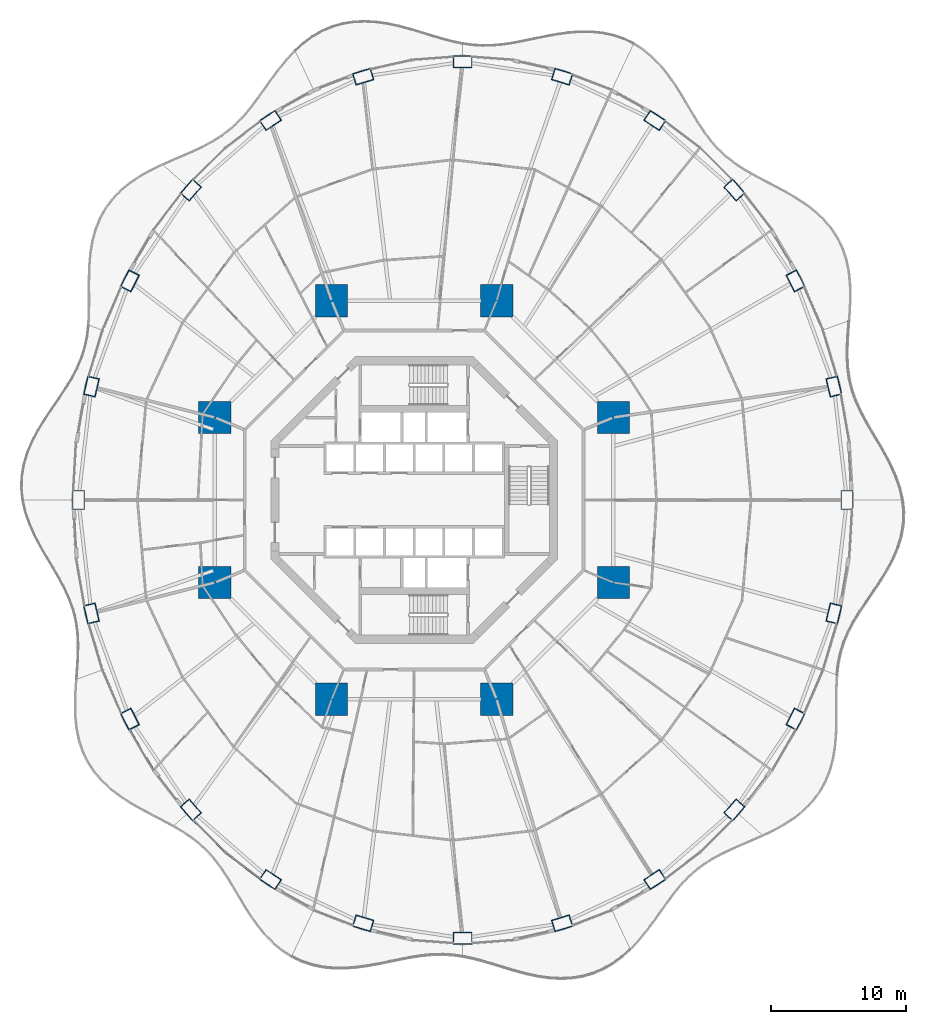
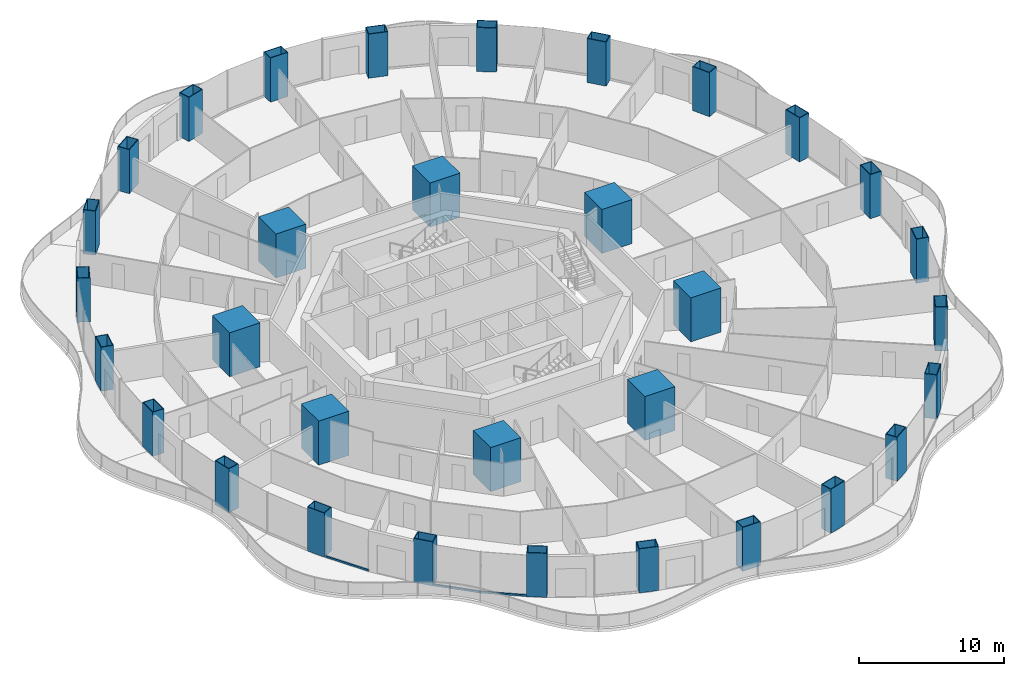
# One storey, part 1 of 23: 32 columns, 3 members, 3 elements without a shape of their own.
"""IFC4 building model written with IfcOpenShell, lengths in metres."""

from ifc_helpers import new_model, si_unit, direction, frame, origin, origin_2d, place, context, subcontext, project, spatial, rectangle, hollow_rectangle, extrude, material, layer, layer_set, material_profile, profile_set, type_object, element, aggregate, save


model = new_model("IFC4")

# Units and contexts
model_context = context("Model", 3, precision=1e-05, world=origin(), true_north=direction((0.0, 1.0)))
body_context = subcontext(model_context, "Body", "Model", "MODEL_VIEW")
ifc_project = project(units=[si_unit("LENGTHUNIT", "METRE"), si_unit("AREAUNIT", "SQUARE_METRE"), si_unit("VOLUMEUNIT", "CUBIC_METRE"), si_unit("PLANEANGLEUNIT", "RADIAN"), si_unit("MASSUNIT", "GRAM", prefix="KILO")], contexts=[model_context])

# Site, building, storey
site_placement = place(None, origin())
site = spatial("IfcSite", under=ifc_project, at=site_placement, CompositionType="ELEMENT")
building_placement = place(site_placement, origin())
building = spatial("IfcBuilding", under=site, at=building_placement, Name="Nagisa Residences", CompositionType="ELEMENT")
storey_placement = place(building_placement, frame((0.0, 0.0, 56.60009765625)))
storey = spatial("IfcBuildingStorey", under=building, at=storey_placement, Name="L13", CompositionType="ELEMENT", Elevation=56.60009765625)

# Columns
ifc_material_1 = material(Name="Concrete C80", Category="concrete")
ifc_material_profile_1 = material_profile(ifc_material_1, rectangle(XDim=2.39990234375, YDim=2.39990234375, at=origin_2d()), Name="C80 2400x2400")
ifc_profile_set_1 = profile_set([ifc_material_profile_1], Name="Concrete C80")
column_type_1 = type_object("IfcColumnType", Name="Inner megacolumn C80 2400x2400", PredefinedType="COLUMN", material=ifc_profile_set_1)
for number, where, z_axis, x_axis, name in (
    (1, (14.781982421875, 6.123046875, 0.0), (0.0, 0.0, 1.0), (1.0, 0.0, 0.0), "col:L13:i1"),
    (2, (6.123046875, 14.781982421875, 0.0), (0.0, 0.0, 1.0), (1.0, 0.0, 0.0), "col:L13:i2"),
    (3, (-6.123046875, 14.781982421875, 0.0), (0.0, 0.0, 1.0), (1.0, 0.0, 0.0), "col:L13:i3"),
    (4, (-14.781982421875, 6.123046875, 0.0), (0.0, 0.0, 1.0), (1.0, 0.0, 0.0), "col:L13:i4"),
    (5, (-14.781982421875, -6.123046875, 0.0), (0.0, 0.0, 1.0), (1.0, 0.0, 0.0), "col:L13:i5"),
    (6, (-6.123046875, -14.781982421875, 0.0), (0.0, 0.0, 1.0), (1.0, 0.0, 0.0), "col:L13:i6"),
    (7, (6.123046875, -14.781982421875, 0.0), (0.0, 0.0, 1.0), (1.0, 0.0, 0.0), "col:L13:i7"),
    (8, (14.781982421875, -6.123046875, 0.0), (0.0, 0.0, 1.0), (1.0, 0.0, 0.0), "col:L13:i8"),
):
    element("IfcColumn", number, at=place(storey_placement, frame(where, z_axis=z_axis, x_axis=x_axis)), inside=storey, type_object=column_type_1, Name=name, PredefinedType="COLUMN", context=body_context, shape_type="SweptSolid", body=[
        extrude(rectangle(XDim=2.39990234375, YDim=2.39990234375, at=origin_2d()), origin(), (0.0, 0.0, 1.0), 3.699951171875),
    ])
ifc_material_2 = material(Name="Steel ASTM A572 Gr 50", Category="steel")
ifc_material_profile_2 = material_profile(ifc_material_2, hollow_rectangle(XDim=1.39990234375, YDim=0.89990234375, WallThickness=0.050048828125, at=origin_2d()), Name="BX 1400x900x50")
ifc_profile_set_2 = profile_set([ifc_material_profile_2], Name="Steel ASTM A572 Gr 50")
column_type_2 = type_object("IfcColumnType", Name="Perimeter column BX 1400x900x50", PredefinedType="COLUMN", material=ifc_profile_set_2)
for number, where, z_axis, x_axis, name in (
    (9, (32.10009765625, 0.0, 0.0), (0.0, 0.0, 1.0), (0.0, 1.0, 0.0), "col:L13:p00"),
    (10, (31.12890625, 8.41162109375, 0.0), (0.0, 0.0, 1.0), (-0.229202013103, 0.973378876486, 0.0), "col:L13:p01"),
    (11, (28.28173828125, 16.25, 0.0), (0.0, 0.0, 1.0), (-0.452462697578, 0.891783329795, 0.0), "col:L13:p02"),
    (12, (23.75244140625, 22.98095703125, 0.0), (0.0, 0.0, 1.0), (-0.660114607735, 0.751164898445, 0.0), "col:L13:p03"),
    (13, (17.85009765625, 28.145751953125, 0.0), (0.0, 0.0, 1.0), (-0.835766105673, 0.54908561865, 0.0), "col:L13:p04"),
    (14, (10.976318359375, 31.392578125, 0.0), (0.0, 0.0, 1.0), (-0.956524583408, 0.291651712384, 0.0), "col:L13:p05"),
    (15, (3.60009765625, 32.5, 0.0), (0.0, 0.0, 1.0), (-1.0, 0.0, 0.0), "col:L13:p06"),
    (16, (-3.7763671875, 31.392578125, 0.0), (0.0, 0.0, 1.0), (-0.956524583408, -0.291651712384, 0.0), "col:L13:p07"),
    (17, (-10.64990234375, 28.145751953125, 0.0), (0.0, 0.0, 1.0), (-0.835766105673, -0.54908561865, 0.0), "col:L13:p08"),
    (18, (-16.552490234375, 22.98095703125, 0.0), (0.0, 0.0, 1.0), (-0.660114607735, -0.751164898445, 0.0), "col:L13:p09"),
    (19, (-21.081787109375, 16.25, 0.0), (0.0, 0.0, 1.0), (-0.452462697578, -0.891783329795, 0.0), "col:L13:p10"),
    (20, (-23.928955078125, 8.41162109375, 0.0), (0.0, 0.0, 1.0), (-0.229202013103, -0.973378876486, 0.0), "col:L13:p11"),
    (21, (-24.89990234375, 0.0, 0.0), (0.0, 0.0, 1.0), (0.0, -1.0, 0.0), "col:L13:p12"),
    (22, (-23.928955078125, -8.41162109375, 0.0), (0.0, 0.0, 1.0), (0.229202013103, -0.973378876486, 0.0), "col:L13:p13"),
    (23, (-21.081787109375, -16.25, 0.0), (0.0, 0.0, 1.0), (0.452462697578, -0.891783329795, 0.0), "col:L13:p14"),
    (24, (-16.552490234375, -22.98095703125, 0.0), (0.0, 0.0, 1.0), (0.660114607735, -0.751164898445, 0.0), "col:L13:p15"),
    (25, (-10.64990234375, -28.145751953125, 0.0), (0.0, 0.0, 1.0), (0.835766105673, -0.54908561865, 0.0), "col:L13:p16"),
    (26, (-3.7763671875, -31.392578125, 0.0), (0.0, 0.0, 1.0), (0.956524583408, -0.291651712384, 0.0), "col:L13:p17"),
    (27, (3.60009765625, -32.5, 0.0), (0.0, 0.0, 1.0), (1.0, 0.0, 0.0), "col:L13:p18"),
    (28, (10.976318359375, -31.392578125, 0.0), (0.0, 0.0, 1.0), (0.956524583408, 0.291651712384, 0.0), "col:L13:p19"),
    (29, (17.85009765625, -28.145751953125, 0.0), (0.0, 0.0, 1.0), (0.835766105673, 0.54908561865, 0.0), "col:L13:p20"),
    (30, (23.75244140625, -22.98095703125, 0.0), (0.0, 0.0, 1.0), (0.660114607735, 0.751164898445, 0.0), "col:L13:p21"),
    (31, (28.28173828125, -16.25, 0.0), (0.0, 0.0, 1.0), (0.452462697578, 0.891783329795, 0.0), "col:L13:p22"),
    (32, (31.12890625, -8.41162109375, 0.0), (0.0, 0.0, 1.0), (0.229202013103, 0.973378876486, 0.0), "col:L13:p23"),
):
    element("IfcColumn", number, at=place(storey_placement, frame(where, z_axis=z_axis, x_axis=x_axis)), inside=storey, type_object=column_type_2, Name=name, PredefinedType="COLUMN", context=body_context, shape_type="SweptSolid", body=[
        extrude(hollow_rectangle(XDim=1.39990234375, YDim=0.89990234375, WallThickness=0.050048828125, at=origin_2d()), origin(), (0.0, 0.0, 1.0), 3.699951171875),
    ])

# Curtain wall, member
ifc_material_3 = material(Name="Concrete-coloured aluminium curtain wall system", Category="concrete")
ifc_layer = layer(ifc_material_3, 0.159912109375)
ifc_layer_set = layer_set([ifc_layer], Name="CW1 CURTAIN WALL")
curtain_wall_type = type_object("IfcCurtainWallType", Name="CW1 CURTAIN WALL", PredefinedType="NOTDEFINED", material=ifc_layer_set)
curtain_wall_1_placement = place(storey_placement, origin())
curtain_wall_1 = element("IfcCurtainWall", 33, at=curtain_wall_1_placement, inside=storey, type_object=curtain_wall_type, Name="cw:CW1:L13:28", PredefinedType="NOTDEFINED")
ifc_material_4 = material(Name="Concrete-coloured aluminium", Category="concrete")
ifc_material_profile_3 = material_profile(ifc_material_4, rectangle(XDim=0.1201171875, YDim=0.14990234375, at=origin_2d()), Name="CW1 TRANSOM 120x150")
ifc_profile_set_3 = profile_set([ifc_material_profile_3], Name="Concrete-coloured aluminium")
member_type = type_object("IfcMemberType", Name="CW1 TRANSOM 120x150", PredefinedType="USERDEFINED", material=ifc_profile_set_3)
member_1_placement = place(storey_placement, frame((-21.09130859375, -17.063232421875, 0.074951171875), z_axis=(0.506341951316, -0.862332782827, 0.0), x_axis=(0.862332782827, 0.506341951316, 0.0)))
member_1 = element("IfcMember", 34, at=member_1_placement, type_object=member_type, Name="CW1 transom", ObjectType="TRANSOM", PredefinedType="USERDEFINED", context=body_context, shape_type="SweptSolid", body=[
    extrude(rectangle(XDim=0.1201171875, YDim=0.14990234375, at=origin_2d()), origin(), (0.0, 0.0, 1.0), 3.4619140625),
])
aggregate(curtain_wall_1, [member_1])

curtain_wall_2_placement = place(storey_placement, origin())
curtain_wall_2 = element("IfcCurtainWall", 35, at=curtain_wall_2_placement, inside=storey, type_object=curtain_wall_type, Name="cw:CW1:L13:30", PredefinedType="NOTDEFINED")
member_2_placement = place(storey_placement, frame((-16.35400390625, -23.7724609375, 0.074951171875), z_axis=(0.707839761606, -0.706373040177, 0.0), x_axis=(0.706373040177, 0.707839761606, 0.0)))
member_2 = element("IfcMember", 36, at=member_2_placement, type_object=member_type, Name="CW1 transom", ObjectType="TRANSOM", PredefinedType="USERDEFINED", context=body_context, shape_type="SweptSolid", body=[
    extrude(rectangle(XDim=0.1201171875, YDim=0.14990234375, at=origin_2d()), origin(), (0.0, 0.0, 1.0), 3.3291015625),
])
aggregate(curtain_wall_2, [member_2])

curtain_wall_3_placement = place(storey_placement, origin())
curtain_wall_3 = element("IfcCurtainWall", 37, at=curtain_wall_3_placement, inside=storey, type_object=curtain_wall_type, Name="cw:CW1:L13:31", PredefinedType="NOTDEFINED")
member_3_placement = place(storey_placement, frame((-14.005615234375, -26.116943359375, 0.074951171875), z_axis=(0.796022293214, -0.605267303517, 0.0), x_axis=(0.605267303517, 0.796022293214, 0.0)))
member_3 = element("IfcMember", 38, at=member_3_placement, type_object=member_type, Name="CW1 transom", ObjectType="TRANSOM", PredefinedType="USERDEFINED", context=body_context, shape_type="SweptSolid", body=[
    extrude(rectangle(XDim=0.1201171875, YDim=0.14990234375, at=origin_2d()), origin(), (0.0, 0.0, 1.0), 3.262451171875),
])
aggregate(curtain_wall_3, [member_3])

save(model, "model.ifc")
